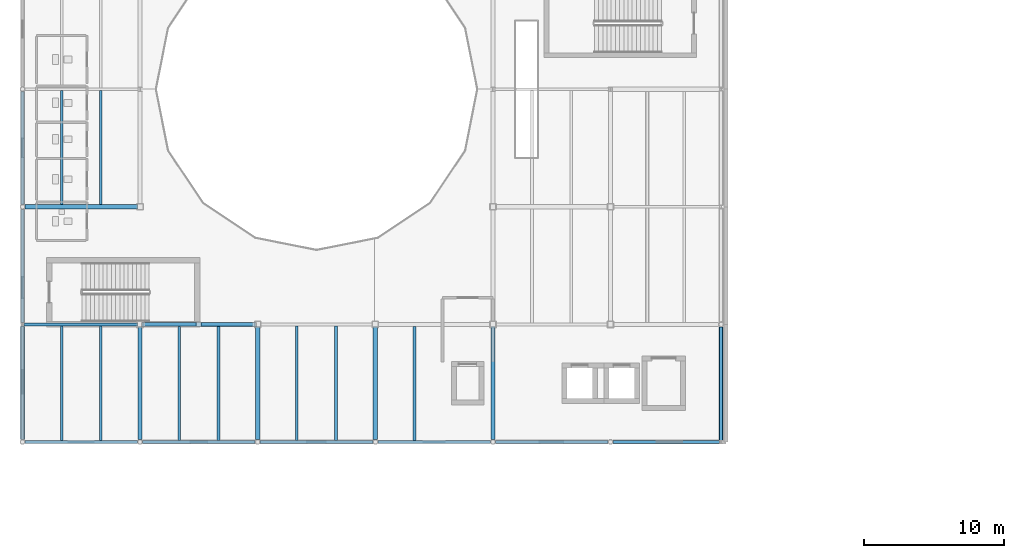
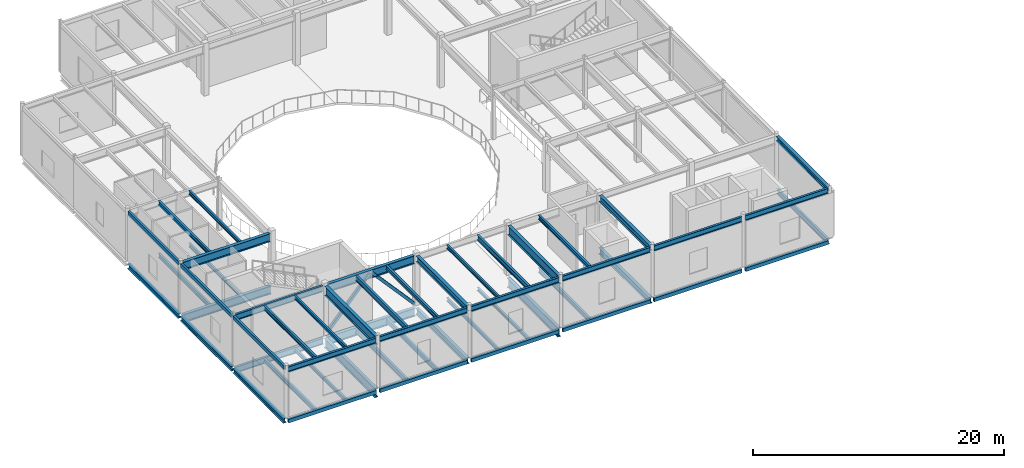
# One storey, part 13 of 57: 52 beams, 2 members.
"""IFC4 building model written with IfcOpenShell, lengths in metres."""

from ifc_helpers import new_model, si_unit, direction, frame, origin, origin_2d, place, context, subcontext, project, spatial, hollow_rectangle, i_section, extrude, material, material_profile, profile_set, type_object, element, save


model = new_model("IFC4")

# Units and contexts
model_context = context("Model", 3, precision=1e-05, world=origin(), true_north=direction((0.0, 1.0)))
body_context = subcontext(model_context, "Body", "Model", "MODEL_VIEW")
ifc_project = project(units=[si_unit("LENGTHUNIT", "METRE"), si_unit("AREAUNIT", "SQUARE_METRE"), si_unit("VOLUMEUNIT", "CUBIC_METRE"), si_unit("PLANEANGLEUNIT", "RADIAN"), si_unit("MASSUNIT", "GRAM", prefix="KILO"), si_unit("THERMODYNAMICTEMPERATUREUNIT", "KELVIN")], contexts=[model_context])

# Site, building, storey
site_placement = place(None, origin())
site = spatial("IfcSite", under=ifc_project, at=site_placement, CompositionType="ELEMENT")
building_placement = place(site_placement, origin())
building = spatial("IfcBuilding", under=site, at=building_placement, Name="Lustrewick Department Store", CompositionType="ELEMENT")
storey_placement = place(building_placement, frame((0.0, 0.0, 26.699951171875)))
storey = spatial("IfcBuildingStorey", under=building, at=storey_placement, Name="L06", CompositionType="ELEMENT", Elevation=26.699951171875)

# Beams
ifc_material_1 = material(Name="Structural steel Q355B", Category="steel")
ifc_material_profile_1 = material_profile(ifc_material_1, i_section(OverallWidth=0.199951171875, OverallDepth=0.5, WebThickness=0.010009765625, FlangeThickness=0.01611328125, FilletRadius=0.01611328125, at=origin_2d()), Name="HN 500x200x10x16")
ifc_profile_set_1 = profile_set([ifc_material_profile_1], Name="Structural steel Q355B")
beam_type_1 = type_object("IfcBeamType", Name="B01", PredefinedType="JOIST", material=ifc_profile_set_1)
beam_1_placement = place(storey_placement, frame((19.60009765625, 42.10009765625, -0.5048828125), z_axis=(0.0, 1.0, 0.0), x_axis=(-1.0, 0.0, 0.0)))
element("IfcBeam", 1, at=beam_1_placement, inside=storey, type_object=beam_type_1, Name="L06 V1 Secondary Joist B01", PredefinedType="JOIST", context=body_context, shape_type="SweptSolid", body=[
    extrude(i_section(OverallWidth=0.199951171875, OverallDepth=0.5, WebThickness=0.010009765625, FlangeThickness=0.01611328125, FilletRadius=0.01611328125, at=origin_2d()), origin(), (0.0, 0.0, 1.0), 8.14990234375),
])
beam_2_placement = place(storey_placement, frame((30.800048828125, 42.1005859375, 4.594970703125), z_axis=(0.0, 1.0, 0.0), x_axis=(-1.0, 0.0, 0.0)))
element("IfcBeam", 2, at=beam_2_placement, inside=storey, type_object=beam_type_1, Name="L06 V1 Secondary Joist B01", PredefinedType="JOIST", context=body_context, shape_type="SweptSolid", body=[
    extrude(i_section(OverallWidth=0.199951171875, OverallDepth=0.5, WebThickness=0.010009765625, FlangeThickness=0.01611328125, FilletRadius=0.01611328125, at=origin_2d()), origin(), (0.0, 0.0, 1.0), 8.199951171875),
])
ifc_material_profile_2 = material_profile(ifc_material_1, i_section(OverallWidth=0.198974609375, OverallDepth=0.49609375, WebThickness=0.009033203125, FlangeThickness=0.013916015625, FilletRadius=0.01611328125, at=origin_2d()), Name="HN 496x199x9x14")
ifc_profile_set_2 = profile_set([ifc_material_profile_2], Name="Structural steel Q355B")
beam_type_2 = type_object("IfcBeamType", Name="B02", PredefinedType="JOIST", material=ifc_profile_set_2)
beam_3_placement = place(storey_placement, frame((19.60009765625, 42.1005859375, 4.59716796875), z_axis=(0.0, 1.0, 0.0), x_axis=(-1.0, 0.0, 0.0)))
element("IfcBeam", 3, at=beam_3_placement, inside=storey, type_object=beam_type_2, Name="L06 V1 Secondary Joist B02", PredefinedType="JOIST", context=body_context, shape_type="SweptSolid", body=[
    extrude(i_section(OverallWidth=0.198974609375, OverallDepth=0.49609375, WebThickness=0.009033203125, FlangeThickness=0.013916015625, FilletRadius=0.01611328125, at=origin_2d()), origin(), (0.0, 0.0, 1.0), 8.1494140625),
])
ifc_material_profile_3 = material_profile(ifc_material_1, i_section(OverallWidth=0.198974609375, OverallDepth=0.446044921875, WebThickness=0.008056640625, FlangeThickness=0.011962890625, FilletRadius=0.01611328125, at=origin_2d()), Name="HN 446x199x8x12")
ifc_profile_set_3 = profile_set([ifc_material_profile_3], Name="Structural steel Q355B")
beam_type_3 = type_object("IfcBeamType", Name="B04", PredefinedType="JOIST", material=ifc_profile_set_3)
for number, where, z_axis, x_axis, name in (
    (4, (22.39990234375, 42.10009765625, -0.47802734375), (0.0, 1.0, 0.0), (-1.0, 0.0, 0.0), "L06 V1 Secondary Joist B04"),
    (5, (36.39990234375, 42.10009765625, -0.47802734375), (0.0, 1.0, 0.0), (-1.0, 0.0, 0.0), "L06 V1 Secondary Joist B04"),
):
    element("IfcBeam", number, at=place(storey_placement, frame(where, z_axis=z_axis, x_axis=x_axis)), inside=storey, type_object=beam_type_3, Name=name, PredefinedType="JOIST", context=body_context, shape_type="SweptSolid", body=[
        extrude(i_section(OverallWidth=0.198974609375, OverallDepth=0.446044921875, WebThickness=0.008056640625, FlangeThickness=0.011962890625, FilletRadius=0.01611328125, at=origin_2d()), origin(), (0.0, 0.0, 1.0), 8.14990234375),
    ])
ifc_material_profile_4 = material_profile(ifc_material_1, i_section(OverallWidth=0.199951171875, OverallDepth=0.39990234375, WebThickness=0.008056640625, FlangeThickness=0.012939453125, FilletRadius=0.013916015625, at=origin_2d()), Name="HN 400x200x8x13")
ifc_profile_set_4 = profile_set([ifc_material_profile_4], Name="Structural steel Q355B")
beam_type_4 = type_object("IfcBeamType", Name="B05", PredefinedType="JOIST", material=ifc_profile_set_4)
beam_4_placement = place(storey_placement, frame((11.199951171875, 42.10009765625, -0.454833984375), z_axis=(0.0, 1.0, 0.0), x_axis=(-1.0, 0.0, 0.0)))
element("IfcBeam", 6, at=beam_4_placement, inside=storey, type_object=beam_type_4, Name="L06 V1 Secondary Joist B05", PredefinedType="JOIST", context=body_context, shape_type="SweptSolid", body=[
    extrude(i_section(OverallWidth=0.199951171875, OverallDepth=0.39990234375, WebThickness=0.008056640625, FlangeThickness=0.012939453125, FilletRadius=0.013916015625, at=origin_2d()), origin(), (0.0, 0.0, 1.0), 8.199951171875),
])
beam_5_placement = place(storey_placement, frame((11.199951171875, 58.949951171875, -0.454833984375), z_axis=(0.0, 1.0, 0.0), x_axis=(-1.0, 0.0, 0.0)))
element("IfcBeam", 7, at=beam_5_placement, inside=storey, type_object=beam_type_4, Name="L06 V1 Secondary Joist B05", PredefinedType="JOIST", context=body_context, shape_type="SweptSolid", body=[
    extrude(i_section(OverallWidth=0.199951171875, OverallDepth=0.39990234375, WebThickness=0.008056640625, FlangeThickness=0.012939453125, FilletRadius=0.013916015625, at=origin_2d()), origin(), (0.0, 0.0, 1.0), 8.150146484375),
])
for number, where, z_axis, x_axis, name in (
    (8, (22.39990234375, 42.1005859375, 4.64501953125), (0.0, 1.0, 0.0), (-1.0, 0.0, 0.0), "L06 V1 Secondary Joist B05"),
    (9, (36.39990234375, 42.1005859375, 4.64501953125), (0.0, 1.0, 0.0), (-1.0, 0.0, 0.0), "L06 V1 Secondary Joist B05"),
):
    element("IfcBeam", number, at=place(storey_placement, frame(where, z_axis=z_axis, x_axis=x_axis)), inside=storey, type_object=beam_type_4, Name=name, PredefinedType="JOIST", context=body_context, shape_type="SweptSolid", body=[
        extrude(i_section(OverallWidth=0.199951171875, OverallDepth=0.39990234375, WebThickness=0.008056640625, FlangeThickness=0.012939453125, FilletRadius=0.013916015625, at=origin_2d()), origin(), (0.0, 0.0, 1.0), 8.1494140625),
    ])
ifc_material_profile_5 = material_profile(ifc_material_1, i_section(OverallWidth=0.198974609375, OverallDepth=0.39599609375, WebThickness=0.007080078125, FlangeThickness=0.010986328125, FilletRadius=0.013916015625, at=origin_2d()), Name="HN 396x199x7x11")
ifc_profile_set_5 = profile_set([ifc_material_profile_5], Name="Structural steel Q355B")
beam_type_5 = type_object("IfcBeamType", Name="B06", PredefinedType="JOIST", material=ifc_profile_set_5)
beam_6_placement = place(storey_placement, frame((11.199951171875, 42.1005859375, 4.64697265625), z_axis=(0.0, 1.0, 0.0), x_axis=(-1.0, 0.0, 0.0)))
element("IfcBeam", 10, at=beam_6_placement, inside=storey, type_object=beam_type_5, Name="L06 V1 Secondary Joist B06", PredefinedType="JOIST", context=body_context, shape_type="SweptSolid", body=[
    extrude(i_section(OverallWidth=0.198974609375, OverallDepth=0.39599609375, WebThickness=0.007080078125, FlangeThickness=0.010986328125, FilletRadius=0.013916015625, at=origin_2d()), origin(), (0.0, 0.0, 1.0), 8.199951171875),
])
beam_7_placement = place(storey_placement, frame((11.199951171875, 58.949951171875, 4.64697265625), z_axis=(0.0, 1.0, 0.0), x_axis=(-1.0, 0.0, 0.0)))
element("IfcBeam", 11, at=beam_7_placement, inside=storey, type_object=beam_type_5, Name="L06 V1 Secondary Joist B06", PredefinedType="JOIST", context=body_context, shape_type="SweptSolid", body=[
    extrude(i_section(OverallWidth=0.198974609375, OverallDepth=0.39599609375, WebThickness=0.007080078125, FlangeThickness=0.010986328125, FilletRadius=0.013916015625, at=origin_2d()), origin(), (0.0, 0.0, 1.0), 8.150634765625),
])
ifc_material_profile_6 = material_profile(ifc_material_1, i_section(OverallWidth=0.175048828125, OverallDepth=0.35009765625, WebThickness=0.007080078125, FlangeThickness=0.010986328125, FilletRadius=0.012939453125, at=origin_2d()), Name="HN 350x175x7x11")
ifc_profile_set_6 = profile_set([ifc_material_profile_6], Name="Structural steel Q355B")
beam_type_6 = type_object("IfcBeamType", Name="B09", PredefinedType="JOIST", material=ifc_profile_set_6)
for number, where, z_axis, x_axis, name in (
    (12, (14.0, 42.10009765625, -0.429931640625), (0.0, 1.0, 0.0), (-1.0, 0.0, 0.0), "L06 V1 Secondary Joist B09"),
    (13, (28.0, 42.10009765625, -0.429931640625), (0.0, 1.0, 0.0), (-1.0, 0.0, 0.0), "L06 V1 Secondary Joist B09"),
):
    element("IfcBeam", number, at=place(storey_placement, frame(where, z_axis=z_axis, x_axis=x_axis)), inside=storey, type_object=beam_type_6, Name=name, PredefinedType="JOIST", context=body_context, shape_type="SweptSolid", body=[
        extrude(i_section(OverallWidth=0.175048828125, OverallDepth=0.35009765625, WebThickness=0.007080078125, FlangeThickness=0.010986328125, FilletRadius=0.012939453125, at=origin_2d()), origin(), (0.0, 0.0, 1.0), 8.199951171875),
    ])
beam_8_placement = place(storey_placement, frame((14.0, 58.949951171875, -0.429931640625), z_axis=(0.0, 1.0, 0.0), x_axis=(-1.0, 0.0, 0.0)))
element("IfcBeam", 14, at=beam_8_placement, inside=storey, type_object=beam_type_6, Name="L06 V1 Secondary Joist B09", PredefinedType="JOIST", context=body_context, shape_type="SweptSolid", body=[
    extrude(i_section(OverallWidth=0.175048828125, OverallDepth=0.35009765625, WebThickness=0.007080078125, FlangeThickness=0.010986328125, FilletRadius=0.012939453125, at=origin_2d()), origin(), (0.0, 0.0, 1.0), 8.150146484375),
])
ifc_material_profile_7 = material_profile(ifc_material_1, i_section(OverallWidth=0.174072265625, OverallDepth=0.345947265625, WebThickness=0.006103515625, FlangeThickness=0.009033203125, FilletRadius=0.012939453125, at=origin_2d()), Name="HN 346x174x6x9")
ifc_profile_set_7 = profile_set([ifc_material_profile_7], Name="Structural steel Q355B")
beam_type_7 = type_object("IfcBeamType", Name="B10", PredefinedType="JOIST", material=ifc_profile_set_7)
for number, where, z_axis, x_axis, name in (
    (15, (14.0, 42.1005859375, 4.672119140625), (0.0, 1.0, 0.0), (-1.0, 0.0, 0.0), "L06 V1 Secondary Joist B10"),
    (16, (28.0, 42.1005859375, 4.672119140625), (0.0, 1.0, 0.0), (-1.0, 0.0, 0.0), "L06 V1 Secondary Joist B10"),
):
    element("IfcBeam", number, at=place(storey_placement, frame(where, z_axis=z_axis, x_axis=x_axis)), inside=storey, type_object=beam_type_7, Name=name, PredefinedType="JOIST", context=body_context, shape_type="SweptSolid", body=[
        extrude(i_section(OverallWidth=0.174072265625, OverallDepth=0.345947265625, WebThickness=0.006103515625, FlangeThickness=0.009033203125, FilletRadius=0.012939453125, at=origin_2d()), origin(), (0.0, 0.0, 1.0), 8.199951171875),
    ])
beam_9_placement = place(storey_placement, frame((14.0, 58.949951171875, 4.672119140625), z_axis=(0.0, 1.0, 0.0), x_axis=(-1.0, 0.0, 0.0)))
element("IfcBeam", 17, at=beam_9_placement, inside=storey, type_object=beam_type_7, Name="L06 V1 Secondary Joist B10", PredefinedType="JOIST", context=body_context, shape_type="SweptSolid", body=[
    extrude(i_section(OverallWidth=0.174072265625, OverallDepth=0.345947265625, WebThickness=0.006103515625, FlangeThickness=0.009033203125, FilletRadius=0.012939453125, at=origin_2d()), origin(), (0.0, 0.0, 1.0), 8.150634765625),
])
ifc_material_profile_8 = material_profile(ifc_material_1, i_section(OverallWidth=0.199951171875, OverallDepth=0.2939453125, WebThickness=0.008056640625, FlangeThickness=0.011962890625, FilletRadius=0.013916015625, at=origin_2d()), Name="HM 294x200x8x12")
ifc_profile_set_8 = profile_set([ifc_material_profile_8], Name="Structural steel Q355B")
beam_type_8 = type_object("IfcBeamType", Name="B13", PredefinedType="JOIST", material=ifc_profile_set_8)
beam_10_placement = place(storey_placement, frame((30.800048828125, 42.10009765625, -0.40185546875), z_axis=(0.0, 1.0, 0.0), x_axis=(-1.0, 0.0, 0.0)))
element("IfcBeam", 18, at=beam_10_placement, inside=storey, type_object=beam_type_8, Name="L06 V1 Secondary Joist B13", PredefinedType="JOIST", context=body_context, shape_type="SweptSolid", body=[
    extrude(i_section(OverallWidth=0.199951171875, OverallDepth=0.2939453125, WebThickness=0.008056640625, FlangeThickness=0.011962890625, FilletRadius=0.013916015625, at=origin_2d()), origin(), (0.0, 0.0, 1.0), 8.199951171875),
])

# Members
ifc_material_2 = material(Name="Structural steel Q355C", Category="steel")
ifc_material_profile_9 = material_profile(ifc_material_2, hollow_rectangle(XDim=0.25, YDim=0.25, WallThickness=0.010009765625, at=origin_2d()), Name="SHS 250x250x10")
ifc_profile_set_9 = profile_set([ifc_material_profile_9], Name="Structural steel Q355C")
member_type = type_object("IfcMemberType", Name="BR07", PredefinedType="BRACE", material=ifc_profile_set_9)
for number, where, z_axis, x_axis, name in (
    (19, (17.02490234375, 50.39990234375, 0.150146484375), (0.665591490675, 0.0, 0.746316265092), (0.0, 1.0, 0.0), "L06 V1 Chevron Brace BR07"),
    (20, (24.97509765625, 50.39990234375, 0.150146484375), (-0.665591490675, 0.0, 0.746316265092), (0.0, -1.0, 0.0), "L06 V1 Chevron Brace BR07"),
):
    element("IfcMember", number, at=place(storey_placement, frame(where, z_axis=z_axis, x_axis=x_axis)), inside=storey, type_object=member_type, Name=name, PredefinedType="BRACE", context=body_context, shape_type="SweptSolid", body=[
        extrude(hollow_rectangle(XDim=0.25, YDim=0.25, WallThickness=0.010009765625, at=origin_2d()), origin(), (0.0, 0.0, 1.0), 5.82177734375),
    ])

# Beams
ifc_material_profile_10 = material_profile(ifc_material_2, i_section(OverallWidth=0.300048828125, OverallDepth=0.89990234375, WebThickness=0.01611328125, FlangeThickness=0.028076171875, FilletRadius=0.02392578125, at=origin_2d()), Name="HN 900x300x16x28")
ifc_profile_set_10 = profile_set([ifc_material_profile_10], Name="Structural steel Q355C")
beam_type_9 = type_object("IfcBeamType", Name="G02", PredefinedType="BEAM", material=ifc_profile_set_10)
for number, where, z_axis, x_axis, name in (
    (21, (16.800048828125, 42.177978515625, -0.704833984375), (0.0, 1.0, 0.0), (-1.0, 0.0, 0.0), "L06 V1 Girder G02"),
    (22, (33.60009765625, 42.177978515625, -0.704833984375), (0.0, 1.0, 0.0), (-1.0, 0.0, 0.0), "L06 V1 Girder G02"),
):
    element("IfcBeam", number, at=place(storey_placement, frame(where, z_axis=z_axis, x_axis=x_axis)), inside=storey, type_object=beam_type_9, Name=name, PredefinedType="BEAM", context=body_context, shape_type="SweptSolid", body=[
        extrude(i_section(OverallWidth=0.300048828125, OverallDepth=0.89990234375, WebThickness=0.01611328125, FlangeThickness=0.028076171875, FilletRadius=0.02392578125, at=origin_2d()), origin(), (0.0, 0.0, 1.0), 8.072021484375),
    ])
ifc_material_profile_11 = material_profile(ifc_material_2, i_section(OverallWidth=0.299072265625, OverallDepth=0.889892578125, WebThickness=0.014892578125, FlangeThickness=0.02294921875, FilletRadius=0.02392578125, at=origin_2d()), Name="HN 890x299x15x23")
ifc_profile_set_11 = profile_set([ifc_material_profile_11], Name="Structural steel Q355C")
beam_type_10 = type_object("IfcBeamType", Name="G03", PredefinedType="BEAM", material=ifc_profile_set_11)
for number, where, z_axis, x_axis, name in (
    (23, (16.800048828125, 42.177978515625, 4.400146484375), (0.0, 1.0, 0.0), (-1.0, 0.0, 0.0), "L06 V1 Girder G03"),
    (24, (33.60009765625, 42.177978515625, 4.400146484375), (0.0, 1.0, 0.0), (-1.0, 0.0, 0.0), "L06 V1 Girder G03"),
):
    element("IfcBeam", number, at=place(storey_placement, frame(where, z_axis=z_axis, x_axis=x_axis)), inside=storey, type_object=beam_type_10, Name=name, PredefinedType="BEAM", context=body_context, shape_type="SweptSolid", body=[
        extrude(i_section(OverallWidth=0.299072265625, OverallDepth=0.889892578125, WebThickness=0.014892578125, FlangeThickness=0.02294921875, FilletRadius=0.02392578125, at=origin_2d()), origin(), (0.0, 0.0, 1.0), 7.9970703125),
    ])
ifc_material_profile_12 = material_profile(ifc_material_1, i_section(OverallWidth=0.300048828125, OverallDepth=0.800048828125, WebThickness=0.013916015625, FlangeThickness=0.02587890625, FilletRadius=0.02197265625, at=origin_2d()), Name="HN 800x300x14x26")
ifc_profile_set_12 = profile_set([ifc_material_profile_12], Name="Structural steel Q355B")
beam_type_11 = type_object("IfcBeamType", Name="G05", PredefinedType="BEAM", material=ifc_profile_set_12)
beam_11_placement = place(storey_placement, frame((16.949951171875, 50.39990234375, -0.655029296875), z_axis=(1.0, 0.0, 0.0), x_axis=(0.0, 1.0, 0.0)))
element("IfcBeam", 25, at=beam_11_placement, inside=storey, type_object=beam_type_11, Name="L06 V1 Girder G05", PredefinedType="BEAM", context=body_context, shape_type="SweptSolid", body=[
    extrude(i_section(OverallWidth=0.300048828125, OverallDepth=0.800048828125, WebThickness=0.013916015625, FlangeThickness=0.02587890625, FilletRadius=0.02197265625, at=origin_2d()), origin(), (0.0, 0.0, 1.0), 8.10009765625),
])
beam_12_placement = place(storey_placement, frame((8.577880859375, 58.800048828125, -0.655029296875), z_axis=(1.0, 0.0, 0.0), x_axis=(0.0, 1.0, 0.0)))
element("IfcBeam", 26, at=beam_12_placement, inside=storey, type_object=beam_type_11, Name="L06 V1 Girder G05", PredefinedType="BEAM", context=body_context, shape_type="SweptSolid", body=[
    extrude(i_section(OverallWidth=0.300048828125, OverallDepth=0.800048828125, WebThickness=0.013916015625, FlangeThickness=0.02587890625, FilletRadius=0.02197265625, at=origin_2d()), origin(), (0.0, 0.0, 1.0), 8.072021484375),
])
ifc_material_profile_13 = material_profile(ifc_material_1, i_section(OverallWidth=0.300048828125, OverallDepth=0.7919921875, WebThickness=0.013916015625, FlangeThickness=0.02197265625, FilletRadius=0.02197265625, at=origin_2d()), Name="HN 792x300x14x22")
ifc_profile_set_13 = profile_set([ifc_material_profile_13], Name="Structural steel Q355B")
beam_type_12 = type_object("IfcBeamType", Name="G06", PredefinedType="BEAM", material=ifc_profile_set_13)
beam_13_placement = place(storey_placement, frame((17.02490234375, 50.39990234375, 4.448974609375), z_axis=(1.0, 0.0, 0.0), x_axis=(0.0, 1.0, 0.0)))
element("IfcBeam", 27, at=beam_13_placement, inside=storey, type_object=beam_type_12, Name="L06 V1 Girder G06", PredefinedType="BEAM", context=body_context, shape_type="SweptSolid", body=[
    extrude(i_section(OverallWidth=0.300048828125, OverallDepth=0.7919921875, WebThickness=0.013916015625, FlangeThickness=0.02197265625, FilletRadius=0.02197265625, at=origin_2d()), origin(), (0.0, 0.0, 1.0), 7.9501953125),
])
beam_14_placement = place(storey_placement, frame((8.577880859375, 58.800048828125, 4.448974609375), z_axis=(1.0, 0.0, 0.0), x_axis=(0.0, 1.0, 0.0)))
element("IfcBeam", 28, at=beam_14_placement, inside=storey, type_object=beam_type_12, Name="L06 V1 Girder G06", PredefinedType="BEAM", context=body_context, shape_type="SweptSolid", body=[
    extrude(i_section(OverallWidth=0.300048828125, OverallDepth=0.7919921875, WebThickness=0.013916015625, FlangeThickness=0.02197265625, FilletRadius=0.02197265625, at=origin_2d()), origin(), (0.0, 0.0, 1.0), 7.9970703125),
])
ifc_material_profile_14 = material_profile(ifc_material_1, i_section(OverallWidth=0.302001953125, OverallDepth=0.593994140625, WebThickness=0.013916015625, FlangeThickness=0.02294921875, FilletRadius=0.02392578125, at=origin_2d()), Name="HM 594x302x14x23")
ifc_profile_set_14 = profile_set([ifc_material_profile_14], Name="Structural steel Q355B")
beam_type_13 = type_object("IfcBeamType", Name="G10", PredefinedType="BEAM", material=ifc_profile_set_14)
for number, where, z_axis, x_axis, name in (
    (29, (25.199951171875, 42.177978515625, -0.552001953125), (0.0, 1.0, 0.0), (-1.0, 0.0, 0.0), "L06 V1 Girder G10"),
    (30, (42.0, 42.177978515625, -0.552001953125), (0.0, 1.0, 0.0), (-1.0, 0.0, 0.0), "L06 V1 Girder G10"),
):
    element("IfcBeam", number, at=place(storey_placement, frame(where, z_axis=z_axis, x_axis=x_axis)), inside=storey, type_object=beam_type_13, Name=name, PredefinedType="BEAM", context=body_context, shape_type="SweptSolid", body=[
        extrude(i_section(OverallWidth=0.302001953125, OverallDepth=0.593994140625, WebThickness=0.013916015625, FlangeThickness=0.02294921875, FilletRadius=0.02392578125, at=origin_2d()), origin(), (0.0, 0.0, 1.0), 8.072021484375),
    ])
ifc_material_profile_15 = material_profile(ifc_material_1, i_section(OverallWidth=0.300048828125, OverallDepth=0.587890625, WebThickness=0.011962890625, FlangeThickness=0.02001953125, FilletRadius=0.02392578125, at=origin_2d()), Name="HM 588x300x12x20")
ifc_profile_set_15 = profile_set([ifc_material_profile_15], Name="Structural steel Q355B")
beam_type_14 = type_object("IfcBeamType", Name="G11", PredefinedType="BEAM", material=ifc_profile_set_15)
for number, where, z_axis, x_axis, name in (
    (31, (25.199951171875, 42.177978515625, 4.551025390625), (0.0, 1.0, 0.0), (-1.0, 0.0, 0.0), "L06 V1 Girder G11"),
    (32, (42.0, 42.177978515625, 4.551025390625), (0.0, 1.0, 0.0), (-1.0, 0.0, 0.0), "L06 V1 Girder G11"),
):
    element("IfcBeam", number, at=place(storey_placement, frame(where, z_axis=z_axis, x_axis=x_axis)), inside=storey, type_object=beam_type_14, Name=name, PredefinedType="BEAM", context=body_context, shape_type="SweptSolid", body=[
        extrude(i_section(OverallWidth=0.300048828125, OverallDepth=0.587890625, WebThickness=0.011962890625, FlangeThickness=0.02001953125, FilletRadius=0.02392578125, at=origin_2d()), origin(), (0.0, 0.0, 1.0), 7.9970703125),
    ])
ifc_material_profile_16 = material_profile(ifc_material_1, i_section(OverallWidth=0.199951171875, OverallDepth=0.60009765625, WebThickness=0.010986328125, FlangeThickness=0.01708984375, FilletRadius=0.01806640625, at=origin_2d()), Name="HN 600x200x11x17")
ifc_profile_set_16 = profile_set([ifc_material_profile_16], Name="Structural steel Q355B")
beam_type_15 = type_object("IfcBeamType", Name="G14", PredefinedType="BEAM", material=ifc_profile_set_16)
beam_15_placement = place(storey_placement, frame((8.52490234375, 50.39990234375, -0.554931640625), z_axis=(1.0, 0.0, 0.0), x_axis=(0.0, 1.0, 0.0)))
element("IfcBeam", 33, at=beam_15_placement, inside=storey, type_object=beam_type_15, Name="L06 V1 Girder G14", PredefinedType="BEAM", context=body_context, shape_type="SweptSolid", body=[
    extrude(i_section(OverallWidth=0.199951171875, OverallDepth=0.60009765625, WebThickness=0.010986328125, FlangeThickness=0.01708984375, FilletRadius=0.01806640625, at=origin_2d()), origin(), (0.0, 0.0, 1.0), 8.125),
])
ifc_material_profile_17 = material_profile(ifc_material_1, i_section(OverallWidth=0.198974609375, OverallDepth=0.595947265625, WebThickness=0.010009765625, FlangeThickness=0.014892578125, FilletRadius=0.01806640625, at=origin_2d()), Name="HN 596x199x10x15")
ifc_profile_set_17 = profile_set([ifc_material_profile_17], Name="Structural steel Q355B")
beam_type_16 = type_object("IfcBeamType", Name="G15", PredefinedType="BEAM", material=ifc_profile_set_17)
beam_16_placement = place(storey_placement, frame((8.52490234375, 50.39990234375, 4.547119140625), z_axis=(1.0, 0.0, 0.0), x_axis=(0.0, 1.0, 0.0)))
element("IfcBeam", 34, at=beam_16_placement, inside=storey, type_object=beam_type_16, Name="L06 V1 Girder G15", PredefinedType="BEAM", context=body_context, shape_type="SweptSolid", body=[
    extrude(i_section(OverallWidth=0.198974609375, OverallDepth=0.595947265625, WebThickness=0.010009765625, FlangeThickness=0.014892578125, FilletRadius=0.01806640625, at=origin_2d()), origin(), (0.0, 0.0, 1.0), 8.050048828125),
])
ifc_material_profile_18 = material_profile(ifc_material_1, i_section(OverallWidth=0.200927734375, OverallDepth=0.506103515625, WebThickness=0.010986328125, FlangeThickness=0.01904296875, FilletRadius=0.01611328125, at=origin_2d()), Name="HN 506x201x11x19")
ifc_profile_set_18 = profile_set([ifc_material_profile_18], Name="Structural steel Q355B")
beam_type_17 = type_object("IfcBeamType", Name="SP01", PredefinedType="SPANDREL", material=ifc_profile_set_18)
beam_17_placement = place(storey_placement, frame((58.300048828125, 42.125, -0.508056640625), z_axis=(0.0, 1.0, 0.0), x_axis=(-1.0, 0.0, 0.0)))
element("IfcBeam", 35, at=beam_17_placement, inside=storey, type_object=beam_type_17, Name="L06 V1 Girder SP01", PredefinedType="SPANDREL", context=body_context, shape_type="SweptSolid", body=[
    extrude(i_section(OverallWidth=0.200927734375, OverallDepth=0.506103515625, WebThickness=0.010986328125, FlangeThickness=0.01904296875, FilletRadius=0.01611328125, at=origin_2d()), origin(), (0.0, 0.0, 1.0), 8.096923828125),
])
beam_18_placement = place(storey_placement, frame((8.577880859375, 42.0, 4.592041015625), z_axis=(1.0, 0.0, 0.0), x_axis=(0.0, 1.0, 0.0)))
element("IfcBeam", 36, at=beam_18_placement, inside=storey, type_object=beam_type_17, Name="L06 V1 Girder SP01", PredefinedType="SPANDREL", context=body_context, shape_type="SweptSolid", body=[
    extrude(i_section(OverallWidth=0.200927734375, OverallDepth=0.506103515625, WebThickness=0.010986328125, FlangeThickness=0.01904296875, FilletRadius=0.01611328125, at=origin_2d()), origin(), (0.0, 0.0, 1.0), 8.044189453125),
])
beam_19_placement = place(storey_placement, frame((16.97802734375, 42.0, 4.592041015625), z_axis=(1.0, 0.0, 0.0), x_axis=(0.0, 1.0, 0.0)))
element("IfcBeam", 37, at=beam_19_placement, inside=storey, type_object=beam_type_17, Name="L06 V1 Girder SP01", PredefinedType="SPANDREL", context=body_context, shape_type="SweptSolid", body=[
    extrude(i_section(OverallWidth=0.200927734375, OverallDepth=0.506103515625, WebThickness=0.010986328125, FlangeThickness=0.01904296875, FilletRadius=0.01611328125, at=origin_2d()), origin(), (0.0, 0.0, 1.0), 8.0439453125),
])
beam_20_placement = place(storey_placement, frame((25.3779296875, 42.0, 4.592041015625), z_axis=(1.0, 0.0, 0.0), x_axis=(0.0, 1.0, 0.0)))
element("IfcBeam", 38, at=beam_20_placement, inside=storey, type_object=beam_type_17, Name="L06 V1 Girder SP01", PredefinedType="SPANDREL", context=body_context, shape_type="SweptSolid", body=[
    extrude(i_section(OverallWidth=0.200927734375, OverallDepth=0.506103515625, WebThickness=0.010986328125, FlangeThickness=0.01904296875, FilletRadius=0.01611328125, at=origin_2d()), origin(), (0.0, 0.0, 1.0), 8.044189453125),
])
for number, where, z_axis, x_axis, name in (
    (39, (33.778076171875, 42.0, 4.592041015625), (1.0, 0.0, 0.0), (0.0, 1.0, 0.0), "L06 V1 Girder SP01"),
    (40, (42.177978515625, 42.0, 4.592041015625), (1.0, 0.0, 0.0), (0.0, 1.0, 0.0), "L06 V1 Girder SP01"),
):
    element("IfcBeam", number, at=place(storey_placement, frame(where, z_axis=z_axis, x_axis=x_axis)), inside=storey, type_object=beam_type_17, Name=name, PredefinedType="SPANDREL", context=body_context, shape_type="SweptSolid", body=[
        extrude(i_section(OverallWidth=0.200927734375, OverallDepth=0.506103515625, WebThickness=0.010986328125, FlangeThickness=0.01904296875, FilletRadius=0.01611328125, at=origin_2d()), origin(), (0.0, 0.0, 1.0), 8.0439453125),
    ])
beam_21_placement = place(storey_placement, frame((50.577880859375, 42.0, 4.592041015625), z_axis=(1.0, 0.0, 0.0), x_axis=(0.0, 1.0, 0.0)))
element("IfcBeam", 41, at=beam_21_placement, inside=storey, type_object=beam_type_17, Name="L06 V1 Girder SP01", PredefinedType="SPANDREL", context=body_context, shape_type="SweptSolid", body=[
    extrude(i_section(OverallWidth=0.200927734375, OverallDepth=0.506103515625, WebThickness=0.010986328125, FlangeThickness=0.01904296875, FilletRadius=0.01611328125, at=origin_2d()), origin(), (0.0, 0.0, 1.0), 7.59716796875),
])
ifc_material_profile_19 = material_profile(ifc_material_1, i_section(OverallWidth=0.300048828125, OverallDepth=0.43994140625, WebThickness=0.010986328125, FlangeThickness=0.01806640625, FilletRadius=0.02001953125, at=origin_2d()), Name="HM 440x300x11x18")
ifc_profile_set_19 = profile_set([ifc_material_profile_19], Name="Structural steel Q355B")
beam_type_18 = type_object("IfcBeamType", Name="SP02", PredefinedType="SPANDREL", material=ifc_profile_set_19)
beam_22_placement = place(storey_placement, frame((8.39990234375, 42.177978515625, -0.474853515625), z_axis=(0.0, 1.0, 0.0), x_axis=(-1.0, 0.0, 0.0)))
element("IfcBeam", 42, at=beam_22_placement, inside=storey, type_object=beam_type_18, Name="L06 V1 Girder SP02", PredefinedType="SPANDREL", context=body_context, shape_type="SweptSolid", body=[
    extrude(i_section(OverallWidth=0.300048828125, OverallDepth=0.43994140625, WebThickness=0.010986328125, FlangeThickness=0.01806640625, FilletRadius=0.02001953125, at=origin_2d()), origin(), (0.0, 0.0, 1.0), 8.096923828125),
])
beam_23_placement = place(storey_placement, frame((8.39990234375, 50.52490234375, -0.474853515625), z_axis=(0.0, 1.0, 0.0), x_axis=(-1.0, 0.0, 0.0)))
element("IfcBeam", 43, at=beam_23_placement, inside=storey, type_object=beam_type_18, Name="L06 V1 Girder SP02", PredefinedType="SPANDREL", context=body_context, shape_type="SweptSolid", body=[
    extrude(i_section(OverallWidth=0.300048828125, OverallDepth=0.43994140625, WebThickness=0.010986328125, FlangeThickness=0.01806640625, FilletRadius=0.02001953125, at=origin_2d()), origin(), (0.0, 0.0, 1.0), 8.09716796875),
])
beam_24_placement = place(storey_placement, frame((8.39990234375, 58.97802734375, -0.474853515625), z_axis=(0.0, 1.0, 0.0), x_axis=(-1.0, 0.0, 0.0)))
element("IfcBeam", 44, at=beam_24_placement, inside=storey, type_object=beam_type_18, Name="L06 V1 Girder SP02", PredefinedType="SPANDREL", context=body_context, shape_type="SweptSolid", body=[
    extrude(i_section(OverallWidth=0.300048828125, OverallDepth=0.43994140625, WebThickness=0.010986328125, FlangeThickness=0.01806640625, FilletRadius=0.02001953125, at=origin_2d()), origin(), (0.0, 0.0, 1.0), 8.0439453125),
])
beam_25_placement = place(storey_placement, frame((58.300048828125, 42.125, 4.625), z_axis=(0.0, 1.0, 0.0), x_axis=(-1.0, 0.0, 0.0)))
element("IfcBeam", 45, at=beam_25_placement, inside=storey, type_object=beam_type_18, Name="L06 V1 Girder SP02", PredefinedType="SPANDREL", context=body_context, shape_type="SweptSolid", body=[
    extrude(i_section(OverallWidth=0.300048828125, OverallDepth=0.43994140625, WebThickness=0.010986328125, FlangeThickness=0.01806640625, FilletRadius=0.02001953125, at=origin_2d()), origin(), (0.0, 0.0, 1.0), 8.096923828125),
])
ifc_material_profile_20 = material_profile(ifc_material_2, hollow_rectangle(XDim=0.199951171875, YDim=0.35009765625, WallThickness=0.011962890625, at=origin_2d()), Name="RHS 350x200x12")
ifc_profile_set_20 = profile_set([ifc_material_profile_20], Name="Structural steel Q355C")
beam_type_19 = type_object("IfcBeamType", Name="SP03", PredefinedType="SPANDREL", material=ifc_profile_set_20)
beam_26_placement = place(storey_placement, frame((8.577880859375, 42.0, -0.429931640625), z_axis=(1.0, 0.0, 0.0), x_axis=(0.0, 1.0, 0.0)))
element("IfcBeam", 46, at=beam_26_placement, inside=storey, type_object=beam_type_19, Name="L06 V1 Girder SP03", PredefinedType="SPANDREL", context=body_context, shape_type="SweptSolid", body=[
    extrude(hollow_rectangle(XDim=0.199951171875, YDim=0.35009765625, WallThickness=0.011962890625, at=origin_2d()), origin(), (0.0, 0.0, 1.0), 8.044189453125),
])
beam_27_placement = place(storey_placement, frame((16.97802734375, 42.0, -0.429931640625), z_axis=(1.0, 0.0, 0.0), x_axis=(0.0, 1.0, 0.0)))
element("IfcBeam", 47, at=beam_27_placement, inside=storey, type_object=beam_type_19, Name="L06 V1 Girder SP03", PredefinedType="SPANDREL", context=body_context, shape_type="SweptSolid", body=[
    extrude(hollow_rectangle(XDim=0.199951171875, YDim=0.35009765625, WallThickness=0.011962890625, at=origin_2d()), origin(), (0.0, 0.0, 1.0), 8.0439453125),
])
beam_28_placement = place(storey_placement, frame((25.3779296875, 42.0, -0.429931640625), z_axis=(1.0, 0.0, 0.0), x_axis=(0.0, 1.0, 0.0)))
element("IfcBeam", 48, at=beam_28_placement, inside=storey, type_object=beam_type_19, Name="L06 V1 Girder SP03", PredefinedType="SPANDREL", context=body_context, shape_type="SweptSolid", body=[
    extrude(hollow_rectangle(XDim=0.199951171875, YDim=0.35009765625, WallThickness=0.011962890625, at=origin_2d()), origin(), (0.0, 0.0, 1.0), 8.044189453125),
])
for number, where, z_axis, x_axis, name in (
    (49, (33.778076171875, 42.0, -0.429931640625), (1.0, 0.0, 0.0), (0.0, 1.0, 0.0), "L06 V1 Girder SP03"),
    (50, (42.177978515625, 42.0, -0.429931640625), (1.0, 0.0, 0.0), (0.0, 1.0, 0.0), "L06 V1 Girder SP03"),
):
    element("IfcBeam", number, at=place(storey_placement, frame(where, z_axis=z_axis, x_axis=x_axis)), inside=storey, type_object=beam_type_19, Name=name, PredefinedType="SPANDREL", context=body_context, shape_type="SweptSolid", body=[
        extrude(hollow_rectangle(XDim=0.199951171875, YDim=0.35009765625, WallThickness=0.011962890625, at=origin_2d()), origin(), (0.0, 0.0, 1.0), 8.0439453125),
    ])
beam_29_placement = place(storey_placement, frame((50.577880859375, 42.0, -0.429931640625), z_axis=(1.0, 0.0, 0.0), x_axis=(0.0, 1.0, 0.0)))
element("IfcBeam", 51, at=beam_29_placement, inside=storey, type_object=beam_type_19, Name="L06 V1 Girder SP03", PredefinedType="SPANDREL", context=body_context, shape_type="SweptSolid", body=[
    extrude(hollow_rectangle(XDim=0.199951171875, YDim=0.35009765625, WallThickness=0.011962890625, at=origin_2d()), origin(), (0.0, 0.0, 1.0), 7.59716796875),
])
beam_30_placement = place(storey_placement, frame((8.39990234375, 42.177978515625, 4.670166015625), z_axis=(0.0, 1.0, 0.0), x_axis=(-1.0, 0.0, 0.0)))
element("IfcBeam", 52, at=beam_30_placement, inside=storey, type_object=beam_type_19, Name="L06 V1 Girder SP03", PredefinedType="SPANDREL", context=body_context, shape_type="SweptSolid", body=[
    extrude(hollow_rectangle(XDim=0.199951171875, YDim=0.35009765625, WallThickness=0.011962890625, at=origin_2d()), origin(), (0.0, 0.0, 1.0), 8.096923828125),
])
beam_31_placement = place(storey_placement, frame((8.39990234375, 50.52490234375, 4.670166015625), z_axis=(0.0, 1.0, 0.0), x_axis=(-1.0, 0.0, 0.0)))
element("IfcBeam", 53, at=beam_31_placement, inside=storey, type_object=beam_type_19, Name="L06 V1 Girder SP03", PredefinedType="SPANDREL", context=body_context, shape_type="SweptSolid", body=[
    extrude(hollow_rectangle(XDim=0.199951171875, YDim=0.35009765625, WallThickness=0.011962890625, at=origin_2d()), origin(), (0.0, 0.0, 1.0), 8.09716796875),
])
beam_32_placement = place(storey_placement, frame((8.39990234375, 58.97802734375, 4.670166015625), z_axis=(0.0, 1.0, 0.0), x_axis=(-1.0, 0.0, 0.0)))
element("IfcBeam", 54, at=beam_32_placement, inside=storey, type_object=beam_type_19, Name="L06 V1 Girder SP03", PredefinedType="SPANDREL", context=body_context, shape_type="SweptSolid", body=[
    extrude(hollow_rectangle(XDim=0.199951171875, YDim=0.35009765625, WallThickness=0.011962890625, at=origin_2d()), origin(), (0.0, 0.0, 1.0), 8.0439453125),
])

save(model, "model.ifc")
